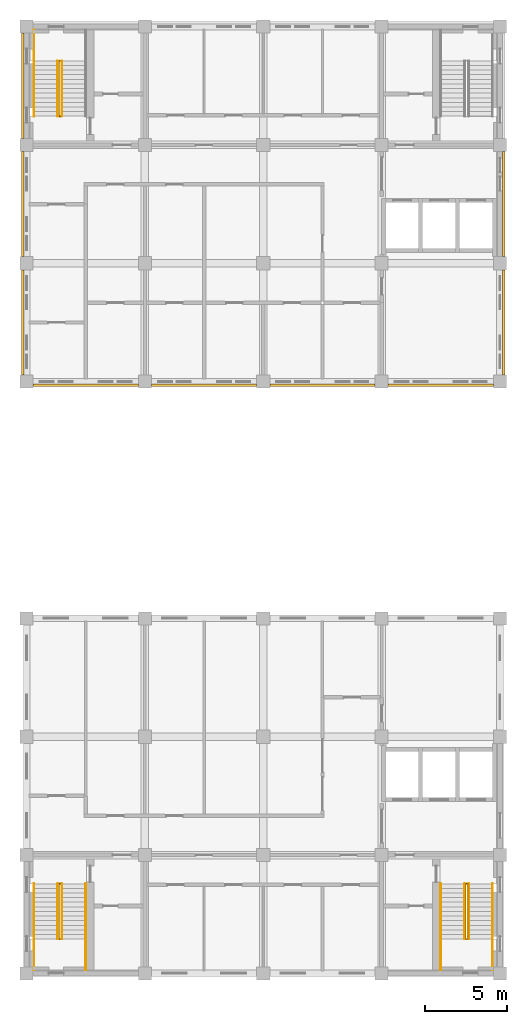
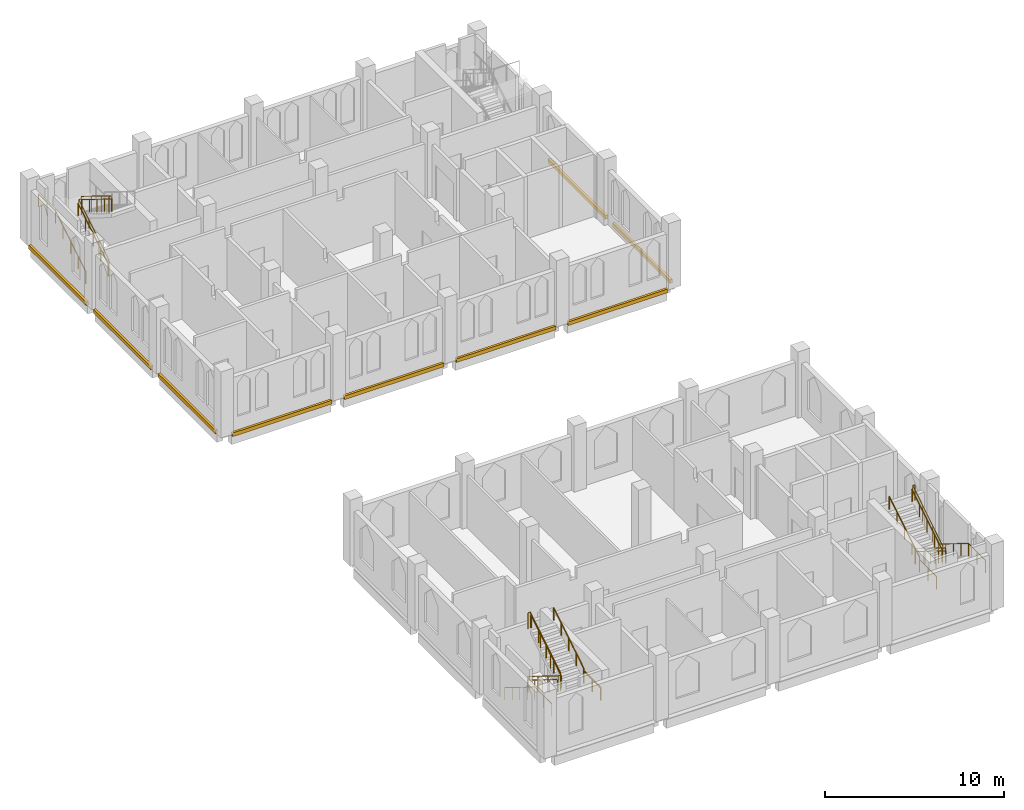
# One storey, part 10 of 11: 14 railings, 9 coverings.
"""IFC4 building model written with IfcOpenShell, lengths in metres."""

from ifc_helpers import new_model, si_unit, direction, frame, origin, origin_2d, place, context, subcontext, project, spatial, rectangle, circle, extrude, material, type_object, element, save


model = new_model("IFC4")

# Units and contexts
model_context = context("Model", 3, precision=1e-05, world=origin(), true_north=direction((0.0, 1.0)))
body_context = subcontext(model_context, "Body", "Model", "MODEL_VIEW")
ifc_project = project(units=[si_unit("LENGTHUNIT", "METRE"), si_unit("AREAUNIT", "SQUARE_METRE"), si_unit("VOLUMEUNIT", "CUBIC_METRE"), si_unit("PLANEANGLEUNIT", "RADIAN"), si_unit("MASSUNIT", "GRAM", prefix="KILO")], contexts=[model_context])

# Site, building, storey
site_placement = place(None, origin())
site = spatial("IfcSite", under=ifc_project, at=site_placement, CompositionType="ELEMENT")
building_placement = place(site_placement, origin())
building = spatial("IfcBuilding", under=site, at=building_placement, Name="Silangan Lancet Faculty of Sciences", CompositionType="ELEMENT")
storey_placement = place(building_placement, frame((0.0, 0.0, 45.300048828125)))
storey = spatial("IfcBuildingStorey", under=building, at=storey_placement, Name="L09", CompositionType="ELEMENT", Elevation=45.300048828125)

# Coverings
ifc_material_1 = material(Name="Concrete C40/50 precast", Category="concrete")
covering_type = type_object("IfcCoveringType", Name="SC1 Precast string course 250 x 150", PredefinedType="CLADDING", material=ifc_material_1)
for number, where, z_axis, x_axis, name in (
    (1, (29.02490234375, 39.60009765625, -0.25), (0.0, 0.0, 1.0), (1.0, 0.0, 0.0), "SC-L09-E-NT-00"),
    (2, (29.02490234375, 46.800048828125, -0.25), (0.0, 0.0, 1.0), (1.0, 0.0, 0.0), "SC-L09-E-NT-01"),
):
    element("IfcCovering", number, at=place(storey_placement, frame(where, z_axis=z_axis, x_axis=x_axis)), inside=storey, type_object=covering_type, Name=name, PredefinedType="CLADDING", context=body_context, shape_type="SweptSolid", body=[
        extrude(rectangle(XDim=0.14990234375, YDim=6.39990234375, at=origin_2d()), origin(), (0.0, 0.0, 1.0), 0.25),
    ])
for number, where, z_axis, x_axis, name in (
    (3, (3.60009765625, 35.77490234375, -0.25), (0.0, 0.0, 1.0), (1.0, 0.0, 0.0), "SC-L09-S-NT-00"),
    (4, (10.800048828125, 35.77490234375, -0.25), (0.0, 0.0, 1.0), (1.0, 0.0, 0.0), "SC-L09-S-NT-01"),
    (5, (18.0, 35.77490234375, -0.25), (0.0, 0.0, 1.0), (1.0, 0.0, 0.0), "SC-L09-S-NT-02"),
    (6, (25.199951171875, 35.77490234375, -0.25), (0.0, 0.0, 1.0), (1.0, 0.0, 0.0), "SC-L09-S-NT-03"),
):
    element("IfcCovering", number, at=place(storey_placement, frame(where, z_axis=z_axis, x_axis=x_axis)), inside=storey, type_object=covering_type, Name=name, PredefinedType="CLADDING", context=body_context, shape_type="SweptSolid", body=[
        extrude(rectangle(XDim=6.39990234375, YDim=0.14990234375, at=origin_2d()), origin(), (0.0, 0.0, 1.0), 0.25),
    ])
for number, where, z_axis, x_axis, name in (
    (7, (-0.22509765625, 39.60009765625, -0.25), (0.0, 0.0, 1.0), (1.0, 0.0, 0.0), "SC-L09-W-NT-00"),
    (8, (-0.22509765625, 46.800048828125, -0.25), (0.0, 0.0, 1.0), (1.0, 0.0, 0.0), "SC-L09-W-NT-01"),
    (9, (-0.22509765625, 54.0, -0.25), (0.0, 0.0, 1.0), (1.0, 0.0, 0.0), "SC-L09-W-NT-02"),
):
    element("IfcCovering", number, at=place(storey_placement, frame(where, z_axis=z_axis, x_axis=x_axis)), inside=storey, type_object=covering_type, Name=name, PredefinedType="CLADDING", context=body_context, shape_type="SweptSolid", body=[
        extrude(rectangle(XDim=0.14990234375, YDim=6.39990234375, at=origin_2d()), origin(), (0.0, 0.0, 1.0), 0.25),
    ])

# Railings
ifc_material_2 = material(Name="Steel balustrade", Category="steel")
railing_type_1 = type_object("IfcRailingType", Name="STAIR GUARD 1100", PredefinedType="GUARDRAIL", material=ifc_material_2)
railing_1_placement = place(storey_placement, frame((1.949951171875, 52.14990234375, 0.173095703125)))
element("IfcRailing", 10, at=railing_1_placement, inside=storey, type_object=railing_type_1, Name="GUARD-NT-A-L09", PredefinedType="GUARDRAIL", context=body_context, shape_type="SweptSolid", body=[
    extrude(circle(Radius=0.02392578125, at=origin_2d()), frame((0.0, 0.0, 1.076171875), z_axis=(0.0, 0.850623216509, 0.525775754039), x_axis=(-1.0, 0.0, 0.0)), (0.0, 0.0, 1.0), 3.9501953125),
    extrude(circle(Radius=0.02392578125, at=origin_2d()), frame((0.0, 3.360107421875, 3.15283203125), z_axis=(1.0, 0.0, 0.0), x_axis=(0.0, 1.0, 0.0)), (0.0, 0.0, 1.0), 0.150146484375),
    extrude(circle(Radius=0.02392578125, at=origin_2d()), frame((0.150146484375, 3.360107421875, 3.15283203125), z_axis=(0.0, 0.0, 1.0), x_axis=(1.0, 0.0, 0.0)), (0.0, 0.0, 1.0), 0.173095703125),
    extrude(circle(Radius=0.02392578125, at=origin_2d()), frame((0.150146484375, 3.360107421875, 3.326171875), z_axis=(0.0, -0.850623216509, 0.525775754039), x_axis=(1.0, 0.0, 0.0)), (0.0, 0.0, 1.0), 3.9501953125),
    extrude(circle(Radius=0.02392578125, at=origin_2d()), frame((0.150146484375, 0.0, 5.40283203125), z_axis=(-1.0, 0.0, 0.0), x_axis=(0.0, -1.0, 0.0)), (0.0, 0.0, 1.0), 0.150146484375),
    extrude(circle(Radius=0.02099609375, at=origin_2d()), origin(), (0.0, 0.0, 1.0), 1.052001953125),
    extrude(circle(Radius=0.02099609375, at=origin_2d()), frame((0.0, 1.1201171875, 0.6923828125)), (0.0, 0.0, 1.0), 1.052001953125),
    extrude(circle(Radius=0.02099609375, at=origin_2d()), frame((0.0, 2.239990234375, 1.384521484375)), (0.0, 0.0, 1.0), 1.052001953125),
    extrude(circle(Radius=0.02099609375, at=origin_2d()), frame((0.0, 3.360107421875, 2.076904296875)), (0.0, 0.0, 1.0), 1.052001953125),
    extrude(circle(Radius=0.02099609375, at=origin_2d()), frame((0.150146484375, 3.360107421875, 2.076904296875)), (0.0, 0.0, 1.0), 1.052001953125),
    extrude(circle(Radius=0.02099609375, at=origin_2d()), frame((0.150146484375, 3.360107421875, 2.25)), (0.0, 0.0, 1.0), 1.052001953125),
    extrude(circle(Radius=0.02099609375, at=origin_2d()), frame((0.150146484375, 2.239990234375, 2.9423828125)), (0.0, 0.0, 1.0), 1.052001953125),
    extrude(circle(Radius=0.02099609375, at=origin_2d()), frame((0.150146484375, 1.1201171875, 3.634521484375)), (0.0, 0.0, 1.0), 1.052001953125),
    extrude(circle(Radius=0.02099609375, at=origin_2d()), frame((0.150146484375, 0.0, 4.326904296875)), (0.0, 0.0, 1.0), 1.052001953125),
    extrude(circle(Radius=0.02099609375, at=origin_2d()), frame((0.0, 0.0, 4.326904296875)), (0.0, 0.0, 1.0), 1.052001953125),
])
railing_2_placement = place(storey_placement, frame((1.949951171875, 5.449951171875, 0.173095703125)))
element("IfcRailing", 11, at=railing_2_placement, inside=storey, type_object=railing_type_1, Name="GUARD-ST-A-L09", PredefinedType="GUARDRAIL", context=body_context, shape_type="SweptSolid", body=[
    extrude(circle(Radius=0.02392578125, at=origin_2d()), frame((0.0, 0.0, 1.076171875), z_axis=(0.0, -0.850606129759, 0.525803396734), x_axis=(1.0, 0.0, 0.0)), (0.0, 0.0, 1.0), 3.949951171875),
    extrude(circle(Radius=0.02392578125, at=origin_2d()), frame((0.0, -3.35986328125, 3.15283203125), z_axis=(1.0, 0.0, 0.0), x_axis=(0.0, 1.0, 0.0)), (0.0, 0.0, 1.0), 0.150146484375),
    extrude(circle(Radius=0.02392578125, at=origin_2d()), frame((0.150146484375, -3.35986328125, 3.15283203125), z_axis=(0.0, 0.0, 1.0), x_axis=(1.0, 0.0, 0.0)), (0.0, 0.0, 1.0), 0.173095703125),
    extrude(circle(Radius=0.02392578125, at=origin_2d()), frame((0.150146484375, -3.35986328125, 3.326171875), z_axis=(0.0, 0.850606129759, 0.525803396734), x_axis=(-1.0, 0.0, 0.0)), (0.0, 0.0, 1.0), 3.949951171875),
    extrude(circle(Radius=0.02392578125, at=origin_2d()), frame((0.150146484375, 0.0, 5.40283203125), z_axis=(-1.0, 0.0, 0.0), x_axis=(0.0, -1.0, 0.0)), (0.0, 0.0, 1.0), 0.150146484375),
    extrude(circle(Radius=0.02099609375, at=origin_2d()), origin(), (0.0, 0.0, 1.0), 1.052001953125),
    extrude(circle(Radius=0.02099609375, at=origin_2d()), frame((0.0, -1.119873046875, 0.6923828125)), (0.0, 0.0, 1.0), 1.052001953125),
    extrude(circle(Radius=0.02099609375, at=origin_2d()), frame((0.0, -2.239990234375, 1.384521484375)), (0.0, 0.0, 1.0), 1.052001953125),
    extrude(circle(Radius=0.02099609375, at=origin_2d()), frame((0.0, -3.35986328125, 2.076904296875)), (0.0, 0.0, 1.0), 1.052001953125),
    extrude(circle(Radius=0.02099609375, at=origin_2d()), frame((0.150146484375, -3.35986328125, 2.076904296875)), (0.0, 0.0, 1.0), 1.052001953125),
    extrude(circle(Radius=0.02099609375, at=origin_2d()), frame((0.150146484375, -3.35986328125, 2.25)), (0.0, 0.0, 1.0), 1.052001953125),
    extrude(circle(Radius=0.02099609375, at=origin_2d()), frame((0.150146484375, -2.239990234375, 2.9423828125)), (0.0, 0.0, 1.0), 1.052001953125),
    extrude(circle(Radius=0.02099609375, at=origin_2d()), frame((0.150146484375, -1.119873046875, 3.634521484375)), (0.0, 0.0, 1.0), 1.052001953125),
    extrude(circle(Radius=0.02099609375, at=origin_2d()), frame((0.150146484375, 0.0, 4.326904296875)), (0.0, 0.0, 1.0), 1.052001953125),
    extrude(circle(Radius=0.02099609375, at=origin_2d()), frame((0.0, 0.0, 4.326904296875)), (0.0, 0.0, 1.0), 1.052001953125),
])
railing_3_placement = place(storey_placement, frame((26.85009765625, 5.449951171875, 0.173095703125)))
element("IfcRailing", 12, at=railing_3_placement, inside=storey, type_object=railing_type_1, Name="GUARD-ST-B-L09", PredefinedType="GUARDRAIL", context=body_context, shape_type="SweptSolid", body=[
    extrude(circle(Radius=0.02392578125, at=origin_2d()), frame((0.0, 0.0, 1.076171875), z_axis=(0.0, -0.850606129759, 0.525803396734), x_axis=(1.0, 0.0, 0.0)), (0.0, 0.0, 1.0), 3.949951171875),
    extrude(circle(Radius=0.02392578125, at=origin_2d()), frame((0.0, -3.35986328125, 3.15283203125), z_axis=(-1.0, 0.0, 0.0), x_axis=(0.0, -1.0, 0.0)), (0.0, 0.0, 1.0), 0.150146484375),
    extrude(circle(Radius=0.02392578125, at=origin_2d()), frame((-0.150146484375, -3.35986328125, 3.15283203125), z_axis=(0.0, 0.0, 1.0), x_axis=(1.0, 0.0, 0.0)), (0.0, 0.0, 1.0), 0.173095703125),
    extrude(circle(Radius=0.02392578125, at=origin_2d()), frame((-0.150146484375, -3.35986328125, 3.326171875), z_axis=(0.0, 0.850606129759, 0.525803396734), x_axis=(-1.0, 0.0, 0.0)), (0.0, 0.0, 1.0), 3.949951171875),
    extrude(circle(Radius=0.02392578125, at=origin_2d()), frame((-0.150146484375, 0.0, 5.40283203125), z_axis=(1.0, 0.0, 0.0), x_axis=(0.0, 1.0, 0.0)), (0.0, 0.0, 1.0), 0.150146484375),
    extrude(circle(Radius=0.02099609375, at=origin_2d()), origin(), (0.0, 0.0, 1.0), 1.052001953125),
    extrude(circle(Radius=0.02099609375, at=origin_2d()), frame((0.0, -1.119873046875, 0.6923828125)), (0.0, 0.0, 1.0), 1.052001953125),
    extrude(circle(Radius=0.02099609375, at=origin_2d()), frame((0.0, -2.239990234375, 1.384521484375)), (0.0, 0.0, 1.0), 1.052001953125),
    extrude(circle(Radius=0.02099609375, at=origin_2d()), frame((0.0, -3.35986328125, 2.076904296875)), (0.0, 0.0, 1.0), 1.052001953125),
    extrude(circle(Radius=0.02099609375, at=origin_2d()), frame((-0.150146484375, -3.35986328125, 2.076904296875)), (0.0, 0.0, 1.0), 1.052001953125),
    extrude(circle(Radius=0.02099609375, at=origin_2d()), frame((-0.150146484375, -3.35986328125, 2.25)), (0.0, 0.0, 1.0), 1.052001953125),
    extrude(circle(Radius=0.02099609375, at=origin_2d()), frame((-0.150146484375, -2.239990234375, 2.9423828125)), (0.0, 0.0, 1.0), 1.052001953125),
    extrude(circle(Radius=0.02099609375, at=origin_2d()), frame((-0.150146484375, -1.119873046875, 3.634521484375)), (0.0, 0.0, 1.0), 1.052001953125),
    extrude(circle(Radius=0.02099609375, at=origin_2d()), frame((-0.150146484375, 0.0, 4.326904296875)), (0.0, 0.0, 1.0), 1.052001953125),
    extrude(circle(Radius=0.02099609375, at=origin_2d()), frame((0.0, 0.0, 4.326904296875)), (0.0, 0.0, 1.0), 1.052001953125),
])
ifc_material_3 = material(Name="Stainless steel", Category="steel")
railing_type_2 = type_object("IfcRailingType", Name="STAIR HANDRAIL 865", PredefinedType="HANDRAIL", material=ifc_material_3)
railing_4_placement = place(storey_placement, frame((0.449951171875, 52.14990234375, 0.173095703125)))
element("IfcRailing", 13, at=railing_4_placement, inside=storey, type_object=railing_type_2, Name="HANDRAIL-NT-A-L09-O1", PredefinedType="HANDRAIL", context=body_context, shape_type="SweptSolid", body=[
    extrude(circle(Radius=0.02392578125, at=origin_2d()), frame((0.0, 0.0, 0.8408203125), z_axis=(0.0, 0.850723215571, 0.525613936734), x_axis=(-1.0, 0.0, 0.0)), (0.0, 0.0, 1.0), 0.987548828125),
    extrude(circle(Radius=0.02392578125, at=origin_2d()), frame((0.0, 0.840087890625, 1.35986328125), z_axis=(0.0, 0.85061266112, 0.525792830631), x_axis=(-1.0, 0.0, 0.0)), (0.0, 0.0, 1.0), 0.987548828125),
    extrude(circle(Radius=0.02392578125, at=origin_2d()), frame((0.0, 1.68017578125, 1.87939453125), z_axis=(0.0, 0.850544299321, 0.52590340833), x_axis=(-1.0, 0.0, 0.0)), (0.0, 0.0, 1.0), 0.9873046875),
    extrude(circle(Radius=0.02392578125, at=origin_2d()), frame((0.0, 2.52001953125, 2.3984375), z_axis=(0.0, 0.85061266112, 0.525792830631), x_axis=(-1.0, 0.0, 0.0)), (0.0, 0.0, 1.0), 0.987548828125),
    extrude(circle(Radius=0.02392578125, at=origin_2d()), frame((0.0, 3.360107421875, 2.91796875), z_axis=(0.0, 1.0, 0.0), x_axis=(-1.0, 0.0, 0.0)), (0.0, 0.0, 1.0), 1.889892578125),
    extrude(circle(Radius=0.02099609375, at=origin_2d()), origin(), (0.0, 0.0, 1.0), 0.81689453125),
    extrude(circle(Radius=0.02099609375, at=origin_2d()), frame((0.0, 0.840087890625, 0.51904296875)), (0.0, 0.0, 1.0), 0.81689453125),
    extrude(circle(Radius=0.02099609375, at=origin_2d()), frame((0.0, 1.68017578125, 1.038330078125)), (0.0, 0.0, 1.0), 0.81689453125),
    extrude(circle(Radius=0.02099609375, at=origin_2d()), frame((0.0, 2.52001953125, 1.5576171875)), (0.0, 0.0, 1.0), 0.81689453125),
    extrude(circle(Radius=0.02099609375, at=origin_2d()), frame((0.0, 3.360107421875, 2.076904296875)), (0.0, 0.0, 1.0), 0.81689453125),
    extrude(circle(Radius=0.02099609375, at=origin_2d()), frame((0.0, 4.30517578125, 2.076904296875)), (0.0, 0.0, 1.0), 0.81689453125),
    extrude(circle(Radius=0.02099609375, at=origin_2d()), frame((0.0, 5.25, 2.076904296875)), (0.0, 0.0, 1.0), 0.81689453125),
])
railing_5_placement = place(storey_placement, frame((1.89990234375, 52.14990234375, 0.173095703125)))
element("IfcRailing", 14, at=railing_5_placement, inside=storey, type_object=railing_type_2, Name="HANDRAIL-NT-A-L09-I1", PredefinedType="HANDRAIL", context=body_context, shape_type="SweptSolid", body=[
    extrude(circle(Radius=0.02392578125, at=origin_2d()), frame((0.0, 0.0, 0.8408203125), z_axis=(0.0, 0.850723215571, 0.525613936734), x_axis=(-1.0, 0.0, 0.0)), (0.0, 0.0, 1.0), 0.987548828125),
    extrude(circle(Radius=0.02392578125, at=origin_2d()), frame((0.0, 0.840087890625, 1.35986328125), z_axis=(0.0, 0.85061266112, 0.525792830631), x_axis=(-1.0, 0.0, 0.0)), (0.0, 0.0, 1.0), 0.987548828125),
    extrude(circle(Radius=0.02392578125, at=origin_2d()), frame((0.0, 1.68017578125, 1.87939453125), z_axis=(0.0, 0.850544299321, 0.52590340833), x_axis=(-1.0, 0.0, 0.0)), (0.0, 0.0, 1.0), 0.9873046875),
    extrude(circle(Radius=0.02392578125, at=origin_2d()), frame((0.0, 2.52001953125, 2.3984375), z_axis=(0.0, 0.85061266112, 0.525792830631), x_axis=(-1.0, 0.0, 0.0)), (0.0, 0.0, 1.0), 0.987548828125),
    extrude(circle(Radius=0.02099609375, at=origin_2d()), origin(), (0.0, 0.0, 1.0), 0.81689453125),
    extrude(circle(Radius=0.02099609375, at=origin_2d()), frame((0.0, 0.840087890625, 0.51904296875)), (0.0, 0.0, 1.0), 0.81689453125),
    extrude(circle(Radius=0.02099609375, at=origin_2d()), frame((0.0, 1.68017578125, 1.038330078125)), (0.0, 0.0, 1.0), 0.81689453125),
    extrude(circle(Radius=0.02099609375, at=origin_2d()), frame((0.0, 2.52001953125, 1.5576171875)), (0.0, 0.0, 1.0), 0.81689453125),
    extrude(circle(Radius=0.02099609375, at=origin_2d()), frame((0.0, 3.360107421875, 2.076904296875)), (0.0, 0.0, 1.0), 0.81689453125),
])
railing_6_placement = place(storey_placement, frame((2.14990234375, 55.510009765625, 2.423095703125)))
element("IfcRailing", 15, at=railing_6_placement, inside=storey, type_object=railing_type_2, Name="HANDRAIL-NT-A-L09-I2", PredefinedType="HANDRAIL", context=body_context, shape_type="SweptSolid", body=[
    extrude(circle(Radius=0.02392578125, at=origin_2d()), frame((0.0, 0.0, 0.8408203125), z_axis=(0.0, -0.850723215571, 0.525613936734), x_axis=(1.0, 0.0, 0.0)), (0.0, 0.0, 1.0), 0.987548828125),
    extrude(circle(Radius=0.02392578125, at=origin_2d()), frame((0.0, -0.840087890625, 1.35986328125), z_axis=(0.0, -0.850544299321, 0.52590340833), x_axis=(1.0, 0.0, 0.0)), (0.0, 0.0, 1.0), 0.9873046875),
    extrude(circle(Radius=0.02392578125, at=origin_2d()), frame((0.0, -1.679931640625, 1.87939453125), z_axis=(0.0, -0.85061266112, 0.525792830631), x_axis=(1.0, 0.0, 0.0)), (0.0, 0.0, 1.0), 0.987548828125),
    extrude(circle(Radius=0.02392578125, at=origin_2d()), frame((0.0, -2.52001953125, 2.3984375), z_axis=(0.0, -0.85061266112, 0.525792830631), x_axis=(1.0, 0.0, 0.0)), (0.0, 0.0, 1.0), 0.987548828125),
    extrude(circle(Radius=0.02099609375, at=origin_2d()), origin(), (0.0, 0.0, 1.0), 0.81689453125),
    extrude(circle(Radius=0.02099609375, at=origin_2d()), frame((0.0, -0.840087890625, 0.51904296875)), (0.0, 0.0, 1.0), 0.81689453125),
    extrude(circle(Radius=0.02099609375, at=origin_2d()), frame((0.0, -1.679931640625, 1.038330078125)), (0.0, 0.0, 1.0), 0.81689453125),
    extrude(circle(Radius=0.02099609375, at=origin_2d()), frame((0.0, -2.52001953125, 1.5576171875)), (0.0, 0.0, 1.0), 0.81689453125),
    extrude(circle(Radius=0.02099609375, at=origin_2d()), frame((0.0, -3.360107421875, 2.076904296875)), (0.0, 0.0, 1.0), 0.81689453125),
])
railing_7_placement = place(storey_placement, frame((0.449951171875, 5.449951171875, 0.173095703125)))
element("IfcRailing", 16, at=railing_7_placement, inside=storey, type_object=railing_type_2, Name="HANDRAIL-ST-A-L09-O1", PredefinedType="HANDRAIL", context=body_context, shape_type="SweptSolid", body=[
    extrude(circle(Radius=0.02392578125, at=origin_2d()), frame((0.0, 0.0, 0.8408203125), z_axis=(0.0, -0.850654891397, 0.525724505556), x_axis=(1.0, 0.0, 0.0)), (0.0, 0.0, 1.0), 0.9873046875),
    extrude(circle(Radius=0.02392578125, at=origin_2d()), frame((0.0, -0.83984375, 1.35986328125), z_axis=(0.0, -0.85061266112, 0.525792830631), x_axis=(1.0, 0.0, 0.0)), (0.0, 0.0, 1.0), 0.987548828125),
    extrude(circle(Radius=0.02392578125, at=origin_2d()), frame((0.0, -1.679931640625, 1.87939453125), z_axis=(0.0, -0.85061266112, 0.525792830631), x_axis=(1.0, 0.0, 0.0)), (0.0, 0.0, 1.0), 0.987548828125),
    extrude(circle(Radius=0.02392578125, at=origin_2d()), frame((0.0, -2.52001953125, 2.3984375), z_axis=(0.0, -0.850544299321, 0.52590340833), x_axis=(1.0, 0.0, 0.0)), (0.0, 0.0, 1.0), 0.9873046875),
    extrude(circle(Radius=0.02392578125, at=origin_2d()), frame((0.0, -3.35986328125, 2.91796875), z_axis=(0.0, -1.0, 0.0), x_axis=(1.0, 0.0, 0.0)), (0.0, 0.0, 1.0), 1.89013671875),
    extrude(circle(Radius=0.02099609375, at=origin_2d()), origin(), (0.0, 0.0, 1.0), 0.81689453125),
    extrude(circle(Radius=0.02099609375, at=origin_2d()), frame((0.0, -0.83984375, 0.51904296875)), (0.0, 0.0, 1.0), 0.81689453125),
    extrude(circle(Radius=0.02099609375, at=origin_2d()), frame((0.0, -1.679931640625, 1.038330078125)), (0.0, 0.0, 1.0), 0.81689453125),
    extrude(circle(Radius=0.02099609375, at=origin_2d()), frame((0.0, -2.52001953125, 1.5576171875)), (0.0, 0.0, 1.0), 0.81689453125),
    extrude(circle(Radius=0.02099609375, at=origin_2d()), frame((0.0, -3.35986328125, 2.076904296875)), (0.0, 0.0, 1.0), 0.81689453125),
    extrude(circle(Radius=0.02099609375, at=origin_2d()), frame((0.0, -4.304931640625, 2.076904296875)), (0.0, 0.0, 1.0), 0.81689453125),
    extrude(circle(Radius=0.02099609375, at=origin_2d()), frame((0.0, -5.25, 2.076904296875)), (0.0, 0.0, 1.0), 0.81689453125),
])
railing_8_placement = place(storey_placement, frame((1.89990234375, 5.449951171875, 0.173095703125)))
element("IfcRailing", 17, at=railing_8_placement, inside=storey, type_object=railing_type_2, Name="HANDRAIL-ST-A-L09-I1", PredefinedType="HANDRAIL", context=body_context, shape_type="SweptSolid", body=[
    extrude(circle(Radius=0.02392578125, at=origin_2d()), frame((0.0, 0.0, 0.8408203125), z_axis=(0.0, -0.850654891397, 0.525724505556), x_axis=(1.0, 0.0, 0.0)), (0.0, 0.0, 1.0), 0.9873046875),
    extrude(circle(Radius=0.02392578125, at=origin_2d()), frame((0.0, -0.83984375, 1.35986328125), z_axis=(0.0, -0.85061266112, 0.525792830631), x_axis=(1.0, 0.0, 0.0)), (0.0, 0.0, 1.0), 0.987548828125),
    extrude(circle(Radius=0.02392578125, at=origin_2d()), frame((0.0, -1.679931640625, 1.87939453125), z_axis=(0.0, -0.85061266112, 0.525792830631), x_axis=(1.0, 0.0, 0.0)), (0.0, 0.0, 1.0), 0.987548828125),
    extrude(circle(Radius=0.02392578125, at=origin_2d()), frame((0.0, -2.52001953125, 2.3984375), z_axis=(0.0, -0.850544299321, 0.52590340833), x_axis=(1.0, 0.0, 0.0)), (0.0, 0.0, 1.0), 0.9873046875),
    extrude(circle(Radius=0.02099609375, at=origin_2d()), origin(), (0.0, 0.0, 1.0), 0.81689453125),
    extrude(circle(Radius=0.02099609375, at=origin_2d()), frame((0.0, -0.83984375, 0.51904296875)), (0.0, 0.0, 1.0), 0.81689453125),
    extrude(circle(Radius=0.02099609375, at=origin_2d()), frame((0.0, -1.679931640625, 1.038330078125)), (0.0, 0.0, 1.0), 0.81689453125),
    extrude(circle(Radius=0.02099609375, at=origin_2d()), frame((0.0, -2.52001953125, 1.5576171875)), (0.0, 0.0, 1.0), 0.81689453125),
    extrude(circle(Radius=0.02099609375, at=origin_2d()), frame((0.0, -3.35986328125, 2.076904296875)), (0.0, 0.0, 1.0), 0.81689453125),
])
railing_9_placement = place(storey_placement, frame((3.60009765625, 0.199951171875, 2.25)))
element("IfcRailing", 18, at=railing_9_placement, inside=storey, type_object=railing_type_2, Name="HANDRAIL-ST-A-L09-O2", PredefinedType="HANDRAIL", context=body_context, shape_type="SweptSolid", body=[
    extrude(circle(Radius=0.02392578125, at=origin_2d()), frame((0.0, 0.0, 0.8408203125), z_axis=(0.0, 1.0, 0.0), x_axis=(-1.0, 0.0, 0.0)), (0.0, 0.0, 1.0), 1.89013671875),
    extrude(circle(Radius=0.02392578125, at=origin_2d()), frame((0.0, 1.89013671875, 0.8408203125), z_axis=(0.0, 0.0, 1.0), x_axis=(1.0, 0.0, 0.0)), (0.0, 0.0, 1.0), 0.173095703125),
    extrude(circle(Radius=0.02392578125, at=origin_2d()), frame((0.0, 1.89013671875, 1.01416015625), z_axis=(0.0, 0.850654891397, 0.525724505556), x_axis=(-1.0, 0.0, 0.0)), (0.0, 0.0, 1.0), 0.9873046875),
    extrude(circle(Radius=0.02392578125, at=origin_2d()), frame((0.0, 2.72998046875, 1.533203125), z_axis=(0.0, 0.85061266112, 0.525792830631), x_axis=(-1.0, 0.0, 0.0)), (0.0, 0.0, 1.0), 0.987548828125),
    extrude(circle(Radius=0.02392578125, at=origin_2d()), frame((0.0, 3.570068359375, 2.05224609375), z_axis=(0.0, 0.85061266112, 0.525792830631), x_axis=(-1.0, 0.0, 0.0)), (0.0, 0.0, 1.0), 0.987548828125),
    extrude(circle(Radius=0.02392578125, at=origin_2d()), frame((0.0, 4.41015625, 2.57177734375), z_axis=(0.0, 0.850544299321, 0.52590340833), x_axis=(-1.0, 0.0, 0.0)), (0.0, 0.0, 1.0), 0.9873046875),
    extrude(circle(Radius=0.02099609375, at=origin_2d()), origin(), (0.0, 0.0, 1.0), 0.81689453125),
    extrude(circle(Radius=0.02099609375, at=origin_2d()), frame((0.0, 0.945068359375, 0.0)), (0.0, 0.0, 1.0), 0.81689453125),
    extrude(circle(Radius=0.02099609375, at=origin_2d()), frame((0.0, 1.89013671875, 0.0)), (0.0, 0.0, 1.0), 0.81689453125),
    extrude(circle(Radius=0.02099609375, at=origin_2d()), frame((0.0, 1.89013671875, 0.173095703125)), (0.0, 0.0, 1.0), 0.81689453125),
    extrude(circle(Radius=0.02099609375, at=origin_2d()), frame((0.0, 2.72998046875, 0.692138671875)), (0.0, 0.0, 1.0), 0.81689453125),
    extrude(circle(Radius=0.02099609375, at=origin_2d()), frame((0.0, 3.570068359375, 1.21142578125)), (0.0, 0.0, 1.0), 0.81689453125),
    extrude(circle(Radius=0.02099609375, at=origin_2d()), frame((0.0, 4.41015625, 1.730712890625)), (0.0, 0.0, 1.0), 0.81689453125),
    extrude(circle(Radius=0.02099609375, at=origin_2d()), frame((0.0, 5.25, 2.25)), (0.0, 0.0, 1.0), 0.81689453125),
])
railing_10_placement = place(storey_placement, frame((2.14990234375, 2.090087890625, 2.423095703125)))
element("IfcRailing", 19, at=railing_10_placement, inside=storey, type_object=railing_type_2, Name="HANDRAIL-ST-A-L09-I2", PredefinedType="HANDRAIL", context=body_context, shape_type="SweptSolid", body=[
    extrude(circle(Radius=0.02392578125, at=origin_2d()), frame((0.0, 0.0, 0.8408203125), z_axis=(0.0, 0.850654891397, 0.525724505556), x_axis=(-1.0, 0.0, 0.0)), (0.0, 0.0, 1.0), 0.9873046875),
    extrude(circle(Radius=0.02392578125, at=origin_2d()), frame((0.0, 0.83984375, 1.35986328125), z_axis=(0.0, 0.85061266112, 0.525792830631), x_axis=(-1.0, 0.0, 0.0)), (0.0, 0.0, 1.0), 0.987548828125),
    extrude(circle(Radius=0.02392578125, at=origin_2d()), frame((0.0, 1.679931640625, 1.87939453125), z_axis=(0.0, 0.85061266112, 0.525792830631), x_axis=(-1.0, 0.0, 0.0)), (0.0, 0.0, 1.0), 0.987548828125),
    extrude(circle(Radius=0.02392578125, at=origin_2d()), frame((0.0, 2.52001953125, 2.3984375), z_axis=(0.0, 0.850544299321, 0.52590340833), x_axis=(-1.0, 0.0, 0.0)), (0.0, 0.0, 1.0), 0.9873046875),
    extrude(circle(Radius=0.02099609375, at=origin_2d()), origin(), (0.0, 0.0, 1.0), 0.81689453125),
    extrude(circle(Radius=0.02099609375, at=origin_2d()), frame((0.0, 0.83984375, 0.51904296875)), (0.0, 0.0, 1.0), 0.81689453125),
    extrude(circle(Radius=0.02099609375, at=origin_2d()), frame((0.0, 1.679931640625, 1.038330078125)), (0.0, 0.0, 1.0), 0.81689453125),
    extrude(circle(Radius=0.02099609375, at=origin_2d()), frame((0.0, 2.52001953125, 1.5576171875)), (0.0, 0.0, 1.0), 0.81689453125),
    extrude(circle(Radius=0.02099609375, at=origin_2d()), frame((0.0, 3.35986328125, 2.076904296875)), (0.0, 0.0, 1.0), 0.81689453125),
])
railing_11_placement = place(storey_placement, frame((28.35009765625, 5.449951171875, 0.173095703125)))
element("IfcRailing", 20, at=railing_11_placement, inside=storey, type_object=railing_type_2, Name="HANDRAIL-ST-B-L09-O1", PredefinedType="HANDRAIL", context=body_context, shape_type="SweptSolid", body=[
    extrude(circle(Radius=0.02392578125, at=origin_2d()), frame((0.0, 0.0, 0.8408203125), z_axis=(0.0, -0.850654891397, 0.525724505556), x_axis=(1.0, 0.0, 0.0)), (0.0, 0.0, 1.0), 0.9873046875),
    extrude(circle(Radius=0.02392578125, at=origin_2d()), frame((0.0, -0.83984375, 1.35986328125), z_axis=(0.0, -0.85061266112, 0.525792830631), x_axis=(1.0, 0.0, 0.0)), (0.0, 0.0, 1.0), 0.987548828125),
    extrude(circle(Radius=0.02392578125, at=origin_2d()), frame((0.0, -1.679931640625, 1.87939453125), z_axis=(0.0, -0.85061266112, 0.525792830631), x_axis=(1.0, 0.0, 0.0)), (0.0, 0.0, 1.0), 0.987548828125),
    extrude(circle(Radius=0.02392578125, at=origin_2d()), frame((0.0, -2.52001953125, 2.3984375), z_axis=(0.0, -0.850544299321, 0.52590340833), x_axis=(1.0, 0.0, 0.0)), (0.0, 0.0, 1.0), 0.9873046875),
    extrude(circle(Radius=0.02392578125, at=origin_2d()), frame((0.0, -3.35986328125, 2.91796875), z_axis=(0.0, -1.0, 0.0), x_axis=(1.0, 0.0, 0.0)), (0.0, 0.0, 1.0), 1.89013671875),
    extrude(circle(Radius=0.02099609375, at=origin_2d()), origin(), (0.0, 0.0, 1.0), 0.81689453125),
    extrude(circle(Radius=0.02099609375, at=origin_2d()), frame((0.0, -0.83984375, 0.51904296875)), (0.0, 0.0, 1.0), 0.81689453125),
    extrude(circle(Radius=0.02099609375, at=origin_2d()), frame((0.0, -1.679931640625, 1.038330078125)), (0.0, 0.0, 1.0), 0.81689453125),
    extrude(circle(Radius=0.02099609375, at=origin_2d()), frame((0.0, -2.52001953125, 1.5576171875)), (0.0, 0.0, 1.0), 0.81689453125),
    extrude(circle(Radius=0.02099609375, at=origin_2d()), frame((0.0, -3.35986328125, 2.076904296875)), (0.0, 0.0, 1.0), 0.81689453125),
    extrude(circle(Radius=0.02099609375, at=origin_2d()), frame((0.0, -4.304931640625, 2.076904296875)), (0.0, 0.0, 1.0), 0.81689453125),
    extrude(circle(Radius=0.02099609375, at=origin_2d()), frame((0.0, -5.25, 2.076904296875)), (0.0, 0.0, 1.0), 0.81689453125),
])
railing_12_placement = place(storey_placement, frame((26.89990234375, 5.449951171875, 0.173095703125)))
element("IfcRailing", 21, at=railing_12_placement, inside=storey, type_object=railing_type_2, Name="HANDRAIL-ST-B-L09-I1", PredefinedType="HANDRAIL", context=body_context, shape_type="SweptSolid", body=[
    extrude(circle(Radius=0.02392578125, at=origin_2d()), frame((0.0, 0.0, 0.8408203125), z_axis=(0.0, -0.850654891397, 0.525724505556), x_axis=(1.0, 0.0, 0.0)), (0.0, 0.0, 1.0), 0.9873046875),
    extrude(circle(Radius=0.02392578125, at=origin_2d()), frame((0.0, -0.83984375, 1.35986328125), z_axis=(0.0, -0.85061266112, 0.525792830631), x_axis=(1.0, 0.0, 0.0)), (0.0, 0.0, 1.0), 0.987548828125),
    extrude(circle(Radius=0.02392578125, at=origin_2d()), frame((0.0, -1.679931640625, 1.87939453125), z_axis=(0.0, -0.85061266112, 0.525792830631), x_axis=(1.0, 0.0, 0.0)), (0.0, 0.0, 1.0), 0.987548828125),
    extrude(circle(Radius=0.02392578125, at=origin_2d()), frame((0.0, -2.52001953125, 2.3984375), z_axis=(0.0, -0.850544299321, 0.52590340833), x_axis=(1.0, 0.0, 0.0)), (0.0, 0.0, 1.0), 0.9873046875),
    extrude(circle(Radius=0.02099609375, at=origin_2d()), origin(), (0.0, 0.0, 1.0), 0.81689453125),
    extrude(circle(Radius=0.02099609375, at=origin_2d()), frame((0.0, -0.83984375, 0.51904296875)), (0.0, 0.0, 1.0), 0.81689453125),
    extrude(circle(Radius=0.02099609375, at=origin_2d()), frame((0.0, -1.679931640625, 1.038330078125)), (0.0, 0.0, 1.0), 0.81689453125),
    extrude(circle(Radius=0.02099609375, at=origin_2d()), frame((0.0, -2.52001953125, 1.5576171875)), (0.0, 0.0, 1.0), 0.81689453125),
    extrude(circle(Radius=0.02099609375, at=origin_2d()), frame((0.0, -3.35986328125, 2.076904296875)), (0.0, 0.0, 1.0), 0.81689453125),
])
railing_13_placement = place(storey_placement, frame((25.199951171875, 0.199951171875, 2.25)))
element("IfcRailing", 22, at=railing_13_placement, inside=storey, type_object=railing_type_2, Name="HANDRAIL-ST-B-L09-O2", PredefinedType="HANDRAIL", context=body_context, shape_type="SweptSolid", body=[
    extrude(circle(Radius=0.02392578125, at=origin_2d()), frame((0.0, 0.0, 0.8408203125), z_axis=(0.0, 1.0, 0.0), x_axis=(-1.0, 0.0, 0.0)), (0.0, 0.0, 1.0), 1.89013671875),
    extrude(circle(Radius=0.02392578125, at=origin_2d()), frame((0.0, 1.89013671875, 0.8408203125), z_axis=(0.0, 0.0, 1.0), x_axis=(1.0, 0.0, 0.0)), (0.0, 0.0, 1.0), 0.173095703125),
    extrude(circle(Radius=0.02392578125, at=origin_2d()), frame((0.0, 1.89013671875, 1.01416015625), z_axis=(0.0, 0.850654891397, 0.525724505556), x_axis=(-1.0, 0.0, 0.0)), (0.0, 0.0, 1.0), 0.9873046875),
    extrude(circle(Radius=0.02392578125, at=origin_2d()), frame((0.0, 2.72998046875, 1.533203125), z_axis=(0.0, 0.85061266112, 0.525792830631), x_axis=(-1.0, 0.0, 0.0)), (0.0, 0.0, 1.0), 0.987548828125),
    extrude(circle(Radius=0.02392578125, at=origin_2d()), frame((0.0, 3.570068359375, 2.05224609375), z_axis=(0.0, 0.85061266112, 0.525792830631), x_axis=(-1.0, 0.0, 0.0)), (0.0, 0.0, 1.0), 0.987548828125),
    extrude(circle(Radius=0.02392578125, at=origin_2d()), frame((0.0, 4.41015625, 2.57177734375), z_axis=(0.0, 0.850544299321, 0.52590340833), x_axis=(-1.0, 0.0, 0.0)), (0.0, 0.0, 1.0), 0.9873046875),
    extrude(circle(Radius=0.02099609375, at=origin_2d()), origin(), (0.0, 0.0, 1.0), 0.81689453125),
    extrude(circle(Radius=0.02099609375, at=origin_2d()), frame((0.0, 0.945068359375, 0.0)), (0.0, 0.0, 1.0), 0.81689453125),
    extrude(circle(Radius=0.02099609375, at=origin_2d()), frame((0.0, 1.89013671875, 0.0)), (0.0, 0.0, 1.0), 0.81689453125),
    extrude(circle(Radius=0.02099609375, at=origin_2d()), frame((0.0, 1.89013671875, 0.173095703125)), (0.0, 0.0, 1.0), 0.81689453125),
    extrude(circle(Radius=0.02099609375, at=origin_2d()), frame((0.0, 2.72998046875, 0.692138671875)), (0.0, 0.0, 1.0), 0.81689453125),
    extrude(circle(Radius=0.02099609375, at=origin_2d()), frame((0.0, 3.570068359375, 1.21142578125)), (0.0, 0.0, 1.0), 0.81689453125),
    extrude(circle(Radius=0.02099609375, at=origin_2d()), frame((0.0, 4.41015625, 1.730712890625)), (0.0, 0.0, 1.0), 0.81689453125),
    extrude(circle(Radius=0.02099609375, at=origin_2d()), frame((0.0, 5.25, 2.25)), (0.0, 0.0, 1.0), 0.81689453125),
])
railing_14_placement = place(storey_placement, frame((26.64990234375, 2.090087890625, 2.423095703125)))
element("IfcRailing", 23, at=railing_14_placement, inside=storey, type_object=railing_type_2, Name="HANDRAIL-ST-B-L09-I2", PredefinedType="HANDRAIL", context=body_context, shape_type="SweptSolid", body=[
    extrude(circle(Radius=0.02392578125, at=origin_2d()), frame((0.0, 0.0, 0.8408203125), z_axis=(0.0, 0.850654891397, 0.525724505556), x_axis=(-1.0, 0.0, 0.0)), (0.0, 0.0, 1.0), 0.9873046875),
    extrude(circle(Radius=0.02392578125, at=origin_2d()), frame((0.0, 0.83984375, 1.35986328125), z_axis=(0.0, 0.85061266112, 0.525792830631), x_axis=(-1.0, 0.0, 0.0)), (0.0, 0.0, 1.0), 0.987548828125),
    extrude(circle(Radius=0.02392578125, at=origin_2d()), frame((0.0, 1.679931640625, 1.87939453125), z_axis=(0.0, 0.85061266112, 0.525792830631), x_axis=(-1.0, 0.0, 0.0)), (0.0, 0.0, 1.0), 0.987548828125),
    extrude(circle(Radius=0.02392578125, at=origin_2d()), frame((0.0, 2.52001953125, 2.3984375), z_axis=(0.0, 0.850544299321, 0.52590340833), x_axis=(-1.0, 0.0, 0.0)), (0.0, 0.0, 1.0), 0.9873046875),
    extrude(circle(Radius=0.02099609375, at=origin_2d()), origin(), (0.0, 0.0, 1.0), 0.81689453125),
    extrude(circle(Radius=0.02099609375, at=origin_2d()), frame((0.0, 0.83984375, 0.51904296875)), (0.0, 0.0, 1.0), 0.81689453125),
    extrude(circle(Radius=0.02099609375, at=origin_2d()), frame((0.0, 1.679931640625, 1.038330078125)), (0.0, 0.0, 1.0), 0.81689453125),
    extrude(circle(Radius=0.02099609375, at=origin_2d()), frame((0.0, 2.52001953125, 1.5576171875)), (0.0, 0.0, 1.0), 0.81689453125),
    extrude(circle(Radius=0.02099609375, at=origin_2d()), frame((0.0, 3.35986328125, 2.076904296875)), (0.0, 0.0, 1.0), 0.81689453125),
])

save(model, "model.ifc")
